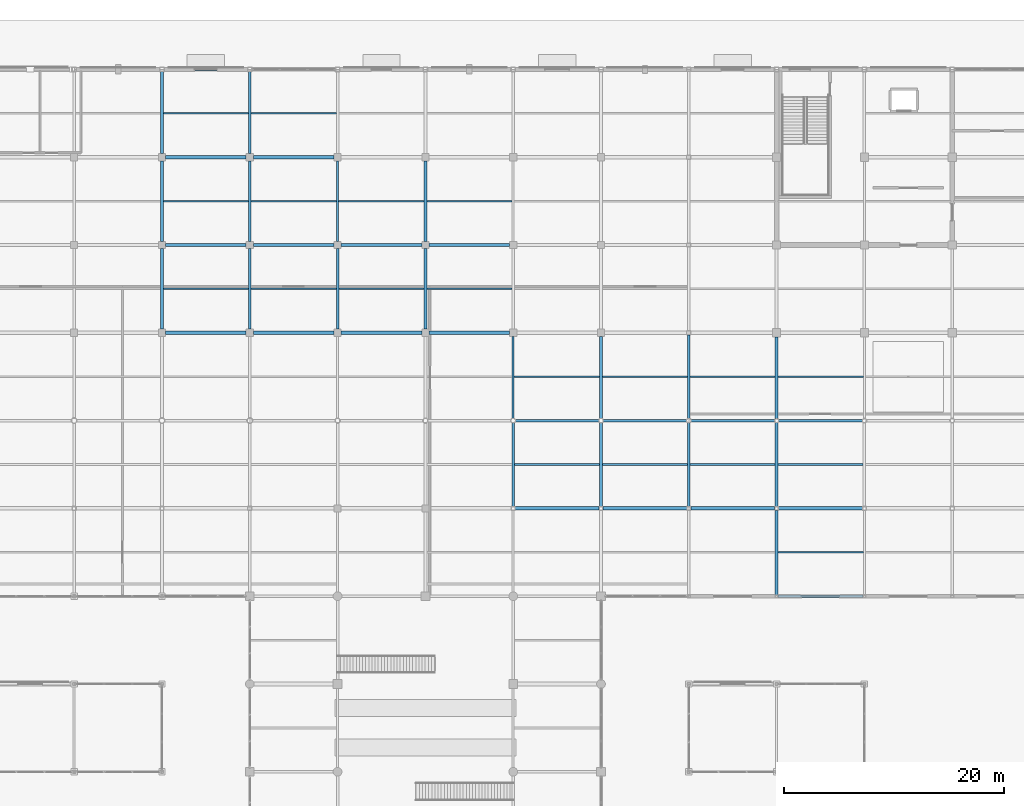
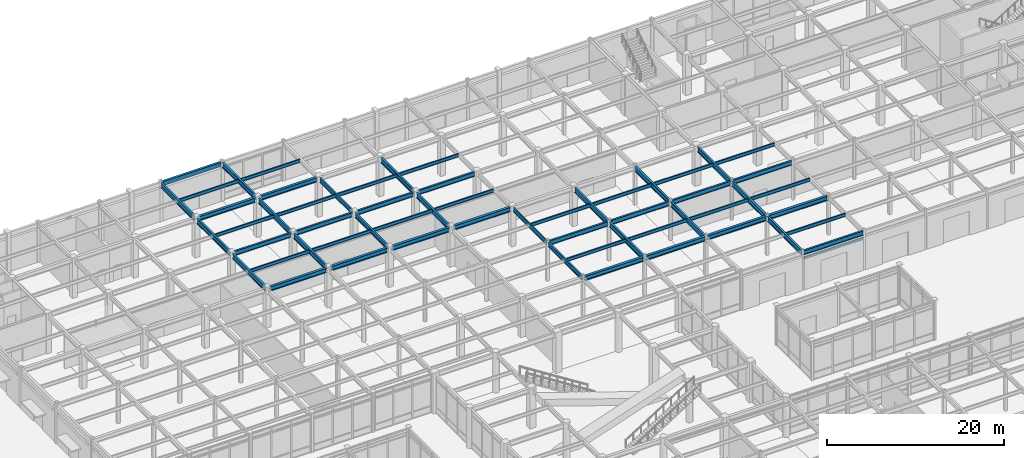
# One storey, part 74 of 128: 59 beams.
"""IFC4 building model written with IfcOpenShell, lengths in metres."""

from ifc_helpers import new_model, si_unit, direction, frame, origin, origin_2d, place, context, subcontext, project, spatial, hollow_rectangle, i_section, extrude, material, material_profile, profile_set, type_object, element, save


model = new_model("IFC4")

# Units and contexts
model_context = context("Model", 3, precision=1e-05, world=origin(), true_north=direction((0.0, 1.0)))
body_context = subcontext(model_context, "Body", "Model", "MODEL_VIEW")
ifc_project = project(units=[si_unit("LENGTHUNIT", "METRE"), si_unit("AREAUNIT", "SQUARE_METRE"), si_unit("VOLUMEUNIT", "CUBIC_METRE"), si_unit("PLANEANGLEUNIT", "RADIAN"), si_unit("MASSUNIT", "GRAM", prefix="KILO")], contexts=[model_context])

# Site, building, storey
site_placement = place(None, origin())
site = spatial("IfcSite", under=ifc_project, at=site_placement, CompositionType="ELEMENT")
building_placement = place(site_placement, origin())
building = spatial("IfcBuilding", under=site, at=building_placement, Name="Solmirada Galleria", CompositionType="ELEMENT")
storey_placement = place(building_placement, origin())
storey = spatial("IfcBuildingStorey", under=building, at=storey_placement, Name="L00", CompositionType="ELEMENT", Elevation=0.0)

# Beams
ifc_material_1 = material(Name="Steel S355 / ASTM A992 Grade 50", Category="steel")
ifc_material_profile_1 = material_profile(ifc_material_1, i_section(OverallWidth=0.323974609375, OverallDepth=0.611083984375, WebThickness=0.0126953125, FlangeThickness=0.01904296875, FilletRadius=0.014892578125, at=origin_2d()), Name="W24X104")
ifc_profile_set_1 = profile_set([ifc_material_profile_1], Name="Steel S355 / ASTM A992 Grade 50")
beam_type_1 = type_object("IfcBeamType", Name="BM-GIRD-W24A", PredefinedType="BEAM", material=ifc_profile_set_1)
for number, where, z_axis, x_axis, name in (
    (1, (72.324951171875, 96.0, 5.074462890625), (1.0, 0.0, 0.0), (0.0, 1.0, 0.0), "Primary beam L01 X(72..80, 96)"),
    (2, (72.324951171875, 112.0, 5.074462890625), (1.0, 0.0, 0.0), (0.0, 1.0, 0.0), "Primary beam L01 X(72..80, 112)"),
    (3, (80.324951171875, 96.0, 5.074462890625), (1.0, 0.0, 0.0), (0.0, 1.0, 0.0), "Primary beam L01 X(80..88, 96)"),
    (4, (80.324951171875, 112.0, 5.074462890625), (1.0, 0.0, 0.0), (0.0, 1.0, 0.0), "Primary beam L01 X(80..88, 112)"),
    (5, (88.324951171875, 96.0, 5.074462890625), (1.0, 0.0, 0.0), (0.0, 1.0, 0.0), "Primary beam L01 X(88..96, 96)"),
    (6, (96.324951171875, 96.0, 5.074462890625), (1.0, 0.0, 0.0), (0.0, 1.0, 0.0), "Primary beam L01 X(96..104, 96)"),
):
    element("IfcBeam", number, at=place(storey_placement, frame(where, z_axis=z_axis, x_axis=x_axis)), inside=storey, type_object=beam_type_1, Name=name, PredefinedType="BEAM", context=body_context, shape_type="SweptSolid", body=[
        extrude(i_section(OverallWidth=0.323974609375, OverallDepth=0.611083984375, WebThickness=0.0126953125, FlangeThickness=0.01904296875, FilletRadius=0.014892578125, at=origin_2d()), origin(), (0.0, 0.0, 1.0), 7.35009765625),
    ])
for number, where, z_axis, x_axis, name in (
    (7, (104.177978515625, 80.0, 5.074462890625), (1.0, 0.0, 0.0), (0.0, 1.0, 0.0), "Primary beam L01 X(104..112, 80)"),
    (8, (112.177978515625, 80.0, 5.074462890625), (1.0, 0.0, 0.0), (0.0, 1.0, 0.0), "Primary beam L01 X(112..120, 80)"),
    (9, (120.177978515625, 80.0, 5.074462890625), (1.0, 0.0, 0.0), (0.0, 1.0, 0.0), "Primary beam L01 X(120..128, 80)"),
    (10, (128.177978515625, 80.0, 5.074462890625), (1.0, 0.0, 0.0), (0.0, 1.0, 0.0), "Primary beam L01 X(128..136, 80)"),
):
    element("IfcBeam", number, at=place(storey_placement, frame(where, z_axis=z_axis, x_axis=x_axis)), inside=storey, type_object=beam_type_1, Name=name, PredefinedType="BEAM", context=body_context, shape_type="SweptSolid", body=[
        extrude(i_section(OverallWidth=0.323974609375, OverallDepth=0.611083984375, WebThickness=0.0126953125, FlangeThickness=0.01904296875, FilletRadius=0.014892578125, at=origin_2d()), origin(), (0.0, 0.0, 1.0), 7.64404296875),
    ])
ifc_material_profile_2 = material_profile(ifc_material_1, i_section(OverallWidth=0.22900390625, OverallDepth=0.612060546875, WebThickness=0.011962890625, FlangeThickness=0.01953125, FilletRadius=0.014892578125, at=origin_2d()), Name="W24X84")
ifc_profile_set_2 = profile_set([ifc_material_profile_2], Name="Steel S355 / ASTM A992 Grade 50")
beam_type_2 = type_object("IfcBeamType", Name="BM-GIRD-W24B", PredefinedType="BEAM", material=ifc_profile_set_2)
for number, where, z_axis, x_axis, name in (
    (11, (72.324951171875, 104.0, 5.073974609375), (1.0, 0.0, 0.0), (0.0, 1.0, 0.0), "Primary beam L01 X(72..80, 104)"),
    (12, (80.324951171875, 104.0, 5.073974609375), (1.0, 0.0, 0.0), (0.0, 1.0, 0.0), "Primary beam L01 X(80..88, 104)"),
    (13, (88.324951171875, 104.0, 5.073974609375), (1.0, 0.0, 0.0), (0.0, 1.0, 0.0), "Primary beam L01 X(88..96, 104)"),
    (14, (96.324951171875, 104.0, 5.073974609375), (1.0, 0.0, 0.0), (0.0, 1.0, 0.0), "Primary beam L01 X(96..104, 104)"),
):
    element("IfcBeam", number, at=place(storey_placement, frame(where, z_axis=z_axis, x_axis=x_axis)), inside=storey, type_object=beam_type_2, Name=name, PredefinedType="BEAM", context=body_context, shape_type="SweptSolid", body=[
        extrude(i_section(OverallWidth=0.22900390625, OverallDepth=0.612060546875, WebThickness=0.011962890625, FlangeThickness=0.01953125, FilletRadius=0.014892578125, at=origin_2d()), origin(), (0.0, 0.0, 1.0), 7.35009765625),
    ])
for number, where, z_axis, x_axis, name in (
    (15, (104.19189453125, 88.0, 5.073974609375), (1.0, 0.0, 0.0), (0.0, 1.0, 0.0), "Primary beam L01 X(104..112, 88)"),
    (16, (112.19189453125, 88.0, 5.073974609375), (1.0, 0.0, 0.0), (0.0, 1.0, 0.0), "Primary beam L01 X(112..120, 88)"),
):
    element("IfcBeam", number, at=place(storey_placement, frame(where, z_axis=z_axis, x_axis=x_axis)), inside=storey, type_object=beam_type_2, Name=name, PredefinedType="BEAM", context=body_context, shape_type="SweptSolid", body=[
        extrude(i_section(OverallWidth=0.22900390625, OverallDepth=0.612060546875, WebThickness=0.011962890625, FlangeThickness=0.01953125, FilletRadius=0.014892578125, at=origin_2d()), origin(), (0.0, 0.0, 1.0), 7.6162109375),
    ])
beam_1_placement = place(storey_placement, frame((120.19189453125, 88.0, 5.073974609375), z_axis=(1.0, 0.0, 0.0), x_axis=(0.0, 1.0, 0.0)))
element("IfcBeam", 17, at=beam_1_placement, inside=storey, type_object=beam_type_2, Name="Primary beam L01 X(120..128, 88)", PredefinedType="BEAM", context=body_context, shape_type="SweptSolid", body=[
    extrude(i_section(OverallWidth=0.22900390625, OverallDepth=0.612060546875, WebThickness=0.011962890625, FlangeThickness=0.01953125, FilletRadius=0.014892578125, at=origin_2d()), origin(), (0.0, 0.0, 1.0), 7.6376953125),
])
beam_2_placement = place(storey_placement, frame((128.126953125, 72.0, 5.073974609375), z_axis=(1.0, 0.0, 0.0), x_axis=(0.0, 1.0, 0.0)))
element("IfcBeam", 18, at=beam_2_placement, inside=storey, type_object=beam_type_2, Name="Primary beam L01 X(128..136, 72)", PredefinedType="BEAM", context=body_context, shape_type="SweptSolid", body=[
    extrude(i_section(OverallWidth=0.22900390625, OverallDepth=0.612060546875, WebThickness=0.011962890625, FlangeThickness=0.01953125, FilletRadius=0.014892578125, at=origin_2d()), origin(), (0.0, 0.0, 1.0), 7.74609375),
])
beam_3_placement = place(storey_placement, frame((128.17041015625, 88.0, 5.073974609375), z_axis=(1.0, 0.0, 0.0), x_axis=(0.0, 1.0, 0.0)))
element("IfcBeam", 19, at=beam_3_placement, inside=storey, type_object=beam_type_2, Name="Primary beam L01 X(128..136, 88)", PredefinedType="BEAM", context=body_context, shape_type="SweptSolid", body=[
    extrude(i_section(OverallWidth=0.22900390625, OverallDepth=0.612060546875, WebThickness=0.011962890625, FlangeThickness=0.01953125, FilletRadius=0.014892578125, at=origin_2d()), origin(), (0.0, 0.0, 1.0), 7.6591796875),
])
ifc_material_profile_3 = material_profile(ifc_material_1, i_section(OverallWidth=0.22802734375, OverallDepth=0.60302734375, WebThickness=0.010498046875, FlangeThickness=0.014892578125, FilletRadius=0.014892578125, at=origin_2d()), Name="W24X68")
ifc_profile_set_3 = profile_set([ifc_material_profile_3], Name="Steel S355 / ASTM A992 Grade 50")
beam_type_3 = type_object("IfcBeamType", Name="BM-GIRD-W24C", PredefinedType="BEAM", material=ifc_profile_set_3)
beam_4_placement = place(storey_placement, frame((88.0, 96.324951171875, 5.07861328125), z_axis=(0.0, 1.0, 0.0), x_axis=(-1.0, 0.0, 0.0)))
element("IfcBeam", 20, at=beam_4_placement, inside=storey, type_object=beam_type_3, Name="Primary girder L01 Y(88, 96..104)", PredefinedType="BEAM", context=body_context, shape_type="SweptSolid", body=[
    extrude(i_section(OverallWidth=0.22802734375, OverallDepth=0.60302734375, WebThickness=0.010498046875, FlangeThickness=0.014892578125, FilletRadius=0.014892578125, at=origin_2d()), origin(), (0.0, 0.0, 1.0), 7.35009765625),
])
beam_5_placement = place(storey_placement, frame((104.0, 80.177978515625, 5.07861328125), z_axis=(0.0, 1.0, 0.0), x_axis=(-1.0, 0.0, 0.0)))
element("IfcBeam", 21, at=beam_5_placement, inside=storey, type_object=beam_type_3, Name="Primary girder L01 Y(104, 80..88)", PredefinedType="BEAM", context=body_context, shape_type="SweptSolid", body=[
    extrude(i_section(OverallWidth=0.22802734375, OverallDepth=0.60302734375, WebThickness=0.010498046875, FlangeThickness=0.014892578125, FilletRadius=0.014892578125, at=origin_2d()), origin(), (0.0, 0.0, 1.0), 7.630126953125),
])
ifc_material_profile_4 = material_profile(ifc_material_1, i_section(OverallWidth=0.177978515625, OverallDepth=0.59912109375, WebThickness=0.010009765625, FlangeThickness=0.0126953125, FilletRadius=0.013916015625, at=origin_2d()), Name="W24X55")
ifc_profile_set_4 = profile_set([ifc_material_profile_4], Name="Steel S355 / ASTM A992 Grade 50")
beam_type_4 = type_object("IfcBeamType", Name="BM-GIRD-W24D", PredefinedType="BEAM", material=ifc_profile_set_4)
beam_6_placement = place(storey_placement, frame((88.0, 104.324951171875, 5.08056640625), z_axis=(0.0, 1.0, 0.0), x_axis=(-1.0, 0.0, 0.0)))
element("IfcBeam", 22, at=beam_6_placement, inside=storey, type_object=beam_type_4, Name="Primary girder L01 Y(88, 104..112)", PredefinedType="BEAM", context=body_context, shape_type="SweptSolid", body=[
    extrude(i_section(OverallWidth=0.177978515625, OverallDepth=0.59912109375, WebThickness=0.010009765625, FlangeThickness=0.0126953125, FilletRadius=0.013916015625, at=origin_2d()), origin(), (0.0, 0.0, 1.0), 7.35009765625),
])
beam_7_placement = place(storey_placement, frame((104.0, 88.19189453125, 5.08056640625), z_axis=(0.0, 1.0, 0.0), x_axis=(-1.0, 0.0, 0.0)))
element("IfcBeam", 23, at=beam_7_placement, inside=storey, type_object=beam_type_4, Name="Primary girder L01 Y(104, 88..96)", PredefinedType="BEAM", context=body_context, shape_type="SweptSolid", body=[
    extrude(i_section(OverallWidth=0.177978515625, OverallDepth=0.59912109375, WebThickness=0.010009765625, FlangeThickness=0.0126953125, FilletRadius=0.013916015625, at=origin_2d()), origin(), (0.0, 0.0, 1.0), 7.483154296875),
])
ifc_material_profile_5 = material_profile(ifc_material_1, i_section(OverallWidth=0.256103515625, OverallDepth=0.693115234375, WebThickness=0.014404296875, FlangeThickness=0.023681640625, FilletRadius=0.01806640625, at=origin_2d()), Name="W27X114")
ifc_profile_set_5 = profile_set([ifc_material_profile_5], Name="Steel S355 / ASTM A992 Grade 50")
beam_type_5 = type_object("IfcBeamType", Name="BM-GIRD-W27A", PredefinedType="BEAM", material=ifc_profile_set_5)
for number, where, z_axis, x_axis, name in (
    (24, (72.0, 96.324951171875, 5.033447265625), (0.0, 1.0, 0.0), (-1.0, 0.0, 0.0), "Primary girder L01 Y(72, 96..104)"),
    (25, (72.0, 104.324951171875, 5.033447265625), (0.0, 1.0, 0.0), (-1.0, 0.0, 0.0), "Primary girder L01 Y(72, 104..112)"),
):
    element("IfcBeam", number, at=place(storey_placement, frame(where, z_axis=z_axis, x_axis=x_axis)), inside=storey, type_object=beam_type_5, Name=name, PredefinedType="BEAM", context=body_context, shape_type="SweptSolid", body=[
        extrude(i_section(OverallWidth=0.256103515625, OverallDepth=0.693115234375, WebThickness=0.014404296875, FlangeThickness=0.023681640625, FilletRadius=0.01806640625, at=origin_2d()), origin(), (0.0, 0.0, 1.0), 7.35009765625),
    ])
beam_8_placement = place(storey_placement, frame((72.0, 112.324951171875, 5.033447265625), z_axis=(0.0, 1.0, 0.0), x_axis=(-1.0, 0.0, 0.0)))
element("IfcBeam", 26, at=beam_8_placement, inside=storey, type_object=beam_type_5, Name="Primary girder L01 Y(72, 112..120)", PredefinedType="BEAM", context=body_context, shape_type="SweptSolid", body=[
    extrude(i_section(OverallWidth=0.256103515625, OverallDepth=0.693115234375, WebThickness=0.014404296875, FlangeThickness=0.023681640625, FilletRadius=0.01806640625, at=origin_2d()), origin(), (0.0, 0.0, 1.0), 7.47216796875),
])
for number, where, z_axis, x_axis, name in (
    (27, (96.0, 96.324951171875, 5.033447265625), (0.0, 1.0, 0.0), (-1.0, 0.0, 0.0), "Primary girder L01 Y(96, 96..104)"),
    (28, (96.0, 104.324951171875, 5.033447265625), (0.0, 1.0, 0.0), (-1.0, 0.0, 0.0), "Primary girder L01 Y(96, 104..112)"),
):
    element("IfcBeam", number, at=place(storey_placement, frame(where, z_axis=z_axis, x_axis=x_axis)), inside=storey, type_object=beam_type_5, Name=name, PredefinedType="BEAM", context=body_context, shape_type="SweptSolid", body=[
        extrude(i_section(OverallWidth=0.256103515625, OverallDepth=0.693115234375, WebThickness=0.014404296875, FlangeThickness=0.023681640625, FilletRadius=0.01806640625, at=origin_2d()), origin(), (0.0, 0.0, 1.0), 7.35009765625),
    ])
for number, where, z_axis, x_axis, name in (
    (29, (120.0, 80.177978515625, 5.033447265625), (0.0, 1.0, 0.0), (-1.0, 0.0, 0.0), "Primary girder L01 Y(120, 80..88)"),
    (30, (120.0, 88.19189453125, 5.033447265625), (0.0, 1.0, 0.0), (-1.0, 0.0, 0.0), "Primary girder L01 Y(120, 88..96)"),
):
    element("IfcBeam", number, at=place(storey_placement, frame(where, z_axis=z_axis, x_axis=x_axis)), inside=storey, type_object=beam_type_5, Name=name, PredefinedType="BEAM", context=body_context, shape_type="SweptSolid", body=[
        extrude(i_section(OverallWidth=0.256103515625, OverallDepth=0.693115234375, WebThickness=0.014404296875, FlangeThickness=0.023681640625, FilletRadius=0.01806640625, at=origin_2d()), origin(), (0.0, 0.0, 1.0), 7.630126953125),
    ])
ifc_material_profile_6 = material_profile(ifc_material_1, i_section(OverallWidth=0.25390625, OverallDepth=0.68408203125, WebThickness=0.012451171875, FlangeThickness=0.018798828125, FilletRadius=0.01708984375, at=origin_2d()), Name="W27X94")
ifc_profile_set_6 = profile_set([ifc_material_profile_6], Name="Steel S355 / ASTM A992 Grade 50")
beam_type_6 = type_object("IfcBeamType", Name="BM-GIRD-W27B", PredefinedType="BEAM", material=ifc_profile_set_6)
for number, where, z_axis, x_axis, name in (
    (31, (80.0, 96.324951171875, 5.0380859375), (0.0, 1.0, 0.0), (-1.0, 0.0, 0.0), "Primary girder L01 Y(80, 96..104)"),
    (32, (80.0, 104.324951171875, 5.0380859375), (0.0, 1.0, 0.0), (-1.0, 0.0, 0.0), "Primary girder L01 Y(80, 104..112)"),
):
    element("IfcBeam", number, at=place(storey_placement, frame(where, z_axis=z_axis, x_axis=x_axis)), inside=storey, type_object=beam_type_6, Name=name, PredefinedType="BEAM", context=body_context, shape_type="SweptSolid", body=[
        extrude(i_section(OverallWidth=0.25390625, OverallDepth=0.68408203125, WebThickness=0.012451171875, FlangeThickness=0.018798828125, FilletRadius=0.01708984375, at=origin_2d()), origin(), (0.0, 0.0, 1.0), 7.35009765625),
    ])
beam_9_placement = place(storey_placement, frame((80.0, 112.324951171875, 5.0380859375), z_axis=(0.0, 1.0, 0.0), x_axis=(-1.0, 0.0, 0.0)))
element("IfcBeam", 33, at=beam_9_placement, inside=storey, type_object=beam_type_6, Name="Primary girder L01 Y(80, 112..120)", PredefinedType="BEAM", context=body_context, shape_type="SweptSolid", body=[
    extrude(i_section(OverallWidth=0.25390625, OverallDepth=0.68408203125, WebThickness=0.012451171875, FlangeThickness=0.018798828125, FilletRadius=0.01708984375, at=origin_2d()), origin(), (0.0, 0.0, 1.0), 7.47216796875),
])
beam_10_placement = place(storey_placement, frame((112.0, 80.177978515625, 5.0380859375), z_axis=(0.0, 1.0, 0.0), x_axis=(-1.0, 0.0, 0.0)))
element("IfcBeam", 34, at=beam_10_placement, inside=storey, type_object=beam_type_6, Name="Primary girder L01 Y(112, 80..88)", PredefinedType="BEAM", context=body_context, shape_type="SweptSolid", body=[
    extrude(i_section(OverallWidth=0.25390625, OverallDepth=0.68408203125, WebThickness=0.012451171875, FlangeThickness=0.018798828125, FilletRadius=0.01708984375, at=origin_2d()), origin(), (0.0, 0.0, 1.0), 7.630126953125),
])
beam_11_placement = place(storey_placement, frame((112.0, 88.19189453125, 5.0380859375), z_axis=(0.0, 1.0, 0.0), x_axis=(-1.0, 0.0, 0.0)))
element("IfcBeam", 35, at=beam_11_placement, inside=storey, type_object=beam_type_6, Name="Primary girder L01 Y(112, 88..96)", PredefinedType="BEAM", context=body_context, shape_type="SweptSolid", body=[
    extrude(i_section(OverallWidth=0.25390625, OverallDepth=0.68408203125, WebThickness=0.012451171875, FlangeThickness=0.018798828125, FilletRadius=0.01708984375, at=origin_2d()), origin(), (0.0, 0.0, 1.0), 7.483154296875),
])
beam_12_placement = place(storey_placement, frame((128.0, 72.126953125, 5.0380859375), z_axis=(0.0, 1.0, 0.0), x_axis=(-1.0, 0.0, 0.0)))
element("IfcBeam", 36, at=beam_12_placement, inside=storey, type_object=beam_type_6, Name="Primary girder L01 Y(128, 72..80)", PredefinedType="BEAM", context=body_context, shape_type="SweptSolid", body=[
    extrude(i_section(OverallWidth=0.25390625, OverallDepth=0.68408203125, WebThickness=0.012451171875, FlangeThickness=0.018798828125, FilletRadius=0.01708984375, at=origin_2d()), origin(), (0.0, 0.0, 1.0), 7.695068359375),
])
beam_13_placement = place(storey_placement, frame((128.0, 80.177978515625, 5.0380859375), z_axis=(0.0, 1.0, 0.0), x_axis=(-1.0, 0.0, 0.0)))
element("IfcBeam", 37, at=beam_13_placement, inside=storey, type_object=beam_type_6, Name="Primary girder L01 Y(128, 80..88)", PredefinedType="BEAM", context=body_context, shape_type="SweptSolid", body=[
    extrude(i_section(OverallWidth=0.25390625, OverallDepth=0.68408203125, WebThickness=0.012451171875, FlangeThickness=0.018798828125, FilletRadius=0.01708984375, at=origin_2d()), origin(), (0.0, 0.0, 1.0), 7.651611328125),
])
beam_14_placement = place(storey_placement, frame((128.0, 88.17041015625, 5.0380859375), z_axis=(0.0, 1.0, 0.0), x_axis=(-1.0, 0.0, 0.0)))
element("IfcBeam", 38, at=beam_14_placement, inside=storey, type_object=beam_type_6, Name="Primary girder L01 Y(128, 88..96)", PredefinedType="BEAM", context=body_context, shape_type="SweptSolid", body=[
    extrude(i_section(OverallWidth=0.25390625, OverallDepth=0.68408203125, WebThickness=0.012451171875, FlangeThickness=0.018798828125, FilletRadius=0.01708984375, at=origin_2d()), origin(), (0.0, 0.0, 1.0), 7.45458984375),
])
ifc_material_profile_7 = material_profile(ifc_material_1, i_section(OverallWidth=0.153076171875, OverallDepth=0.455078125, WebThickness=0.008056640625, FlangeThickness=0.01318359375, FilletRadius=0.011962890625, at=origin_2d()), Name="W18X40")
ifc_profile_set_7 = profile_set([ifc_material_profile_7], Name="Steel S355 / ASTM A992 Grade 50")
beam_type_7 = type_object("IfcBeamType", Name="BM-JST-W18A", PredefinedType="JOIST", material=ifc_profile_set_7)
for number, where, z_axis, x_axis, name in (
    (39, (72.1279296875, 100.0, 5.152587890625), (1.0, 0.0, 0.0), (0.0, 1.0, 0.0), "Composite floor joist L01 (72..80, 100.0)"),
    (40, (72.1279296875, 108.0, 5.152587890625), (1.0, 0.0, 0.0), (0.0, 1.0, 0.0), "Composite floor joist L01 (72..80, 108.0)"),
    (41, (72.1279296875, 116.0, 5.152587890625), (1.0, 0.0, 0.0), (0.0, 1.0, 0.0), "Composite floor joist L01 (72..80, 116.0)"),
):
    element("IfcBeam", number, at=place(storey_placement, frame(where, z_axis=z_axis, x_axis=x_axis)), inside=storey, type_object=beam_type_7, Name=name, PredefinedType="JOIST", context=body_context, shape_type="SweptSolid", body=[
        extrude(i_section(OverallWidth=0.153076171875, OverallDepth=0.455078125, WebThickness=0.008056640625, FlangeThickness=0.01318359375, FilletRadius=0.011962890625, at=origin_2d()), origin(), (0.0, 0.0, 1.0), 7.7451171875),
    ])
beam_15_placement = place(storey_placement, frame((80.126953125, 100.0, 5.152587890625), z_axis=(1.0, 0.0, 0.0), x_axis=(0.0, 1.0, 0.0)))
element("IfcBeam", 42, at=beam_15_placement, inside=storey, type_object=beam_type_7, Name="Composite floor joist L01 (80..88, 100.0)", PredefinedType="JOIST", context=body_context, shape_type="SweptSolid", body=[
    extrude(i_section(OverallWidth=0.153076171875, OverallDepth=0.455078125, WebThickness=0.008056640625, FlangeThickness=0.01318359375, FilletRadius=0.011962890625, at=origin_2d()), origin(), (0.0, 0.0, 1.0), 7.759033203125),
])
beam_16_placement = place(storey_placement, frame((80.126953125, 108.0, 5.152587890625), z_axis=(1.0, 0.0, 0.0), x_axis=(0.0, 1.0, 0.0)))
element("IfcBeam", 43, at=beam_16_placement, inside=storey, type_object=beam_type_7, Name="Composite floor joist L01 (80..88, 108.0)", PredefinedType="JOIST", context=body_context, shape_type="SweptSolid", body=[
    extrude(i_section(OverallWidth=0.153076171875, OverallDepth=0.455078125, WebThickness=0.008056640625, FlangeThickness=0.01318359375, FilletRadius=0.011962890625, at=origin_2d()), origin(), (0.0, 0.0, 1.0), 7.783935546875),
])
beam_17_placement = place(storey_placement, frame((80.126953125, 116.0, 5.152587890625), z_axis=(1.0, 0.0, 0.0), x_axis=(0.0, 1.0, 0.0)))
element("IfcBeam", 44, at=beam_17_placement, inside=storey, type_object=beam_type_7, Name="Composite floor joist L01 (80..88, 116.0)", PredefinedType="JOIST", context=body_context, shape_type="SweptSolid", body=[
    extrude(i_section(OverallWidth=0.153076171875, OverallDepth=0.455078125, WebThickness=0.008056640625, FlangeThickness=0.01318359375, FilletRadius=0.011962890625, at=origin_2d()), origin(), (0.0, 0.0, 1.0), 7.759033203125),
])
beam_18_placement = place(storey_placement, frame((88.114013671875, 100.0, 5.152587890625), z_axis=(1.0, 0.0, 0.0), x_axis=(0.0, 1.0, 0.0)))
element("IfcBeam", 45, at=beam_18_placement, inside=storey, type_object=beam_type_7, Name="Composite floor joist L01 (88..96, 100.0)", PredefinedType="JOIST", context=body_context, shape_type="SweptSolid", body=[
    extrude(i_section(OverallWidth=0.153076171875, OverallDepth=0.455078125, WebThickness=0.008056640625, FlangeThickness=0.01318359375, FilletRadius=0.011962890625, at=origin_2d()), origin(), (0.0, 0.0, 1.0), 7.758056640625),
])
beam_19_placement = place(storey_placement, frame((88.089111328125, 108.0, 5.152587890625), z_axis=(1.0, 0.0, 0.0), x_axis=(0.0, 1.0, 0.0)))
element("IfcBeam", 46, at=beam_19_placement, inside=storey, type_object=beam_type_7, Name="Composite floor joist L01 (88..96, 108.0)", PredefinedType="JOIST", context=body_context, shape_type="SweptSolid", body=[
    extrude(i_section(OverallWidth=0.153076171875, OverallDepth=0.455078125, WebThickness=0.008056640625, FlangeThickness=0.01318359375, FilletRadius=0.011962890625, at=origin_2d()), origin(), (0.0, 0.0, 1.0), 7.782958984375),
])
beam_20_placement = place(storey_placement, frame((96.1279296875, 100.0, 5.152587890625), z_axis=(1.0, 0.0, 0.0), x_axis=(0.0, 1.0, 0.0)))
element("IfcBeam", 47, at=beam_20_placement, inside=storey, type_object=beam_type_7, Name="Composite floor joist L01 (96..104, 100.0)", PredefinedType="JOIST", context=body_context, shape_type="SweptSolid", body=[
    extrude(i_section(OverallWidth=0.153076171875, OverallDepth=0.455078125, WebThickness=0.008056640625, FlangeThickness=0.01318359375, FilletRadius=0.011962890625, at=origin_2d()), origin(), (0.0, 0.0, 1.0), 7.758056640625),
])
beam_21_placement = place(storey_placement, frame((96.1279296875, 108.0, 5.152587890625), z_axis=(1.0, 0.0, 0.0), x_axis=(0.0, 1.0, 0.0)))
element("IfcBeam", 48, at=beam_21_placement, inside=storey, type_object=beam_type_7, Name="Composite floor joist L01 (96..104, 108.0)", PredefinedType="JOIST", context=body_context, shape_type="SweptSolid", body=[
    extrude(i_section(OverallWidth=0.153076171875, OverallDepth=0.455078125, WebThickness=0.008056640625, FlangeThickness=0.01318359375, FilletRadius=0.011962890625, at=origin_2d()), origin(), (0.0, 0.0, 1.0), 7.782958984375),
])
beam_22_placement = place(storey_placement, frame((104.114013671875, 84.0, 5.152587890625), z_axis=(1.0, 0.0, 0.0), x_axis=(0.0, 1.0, 0.0)))
element("IfcBeam", 49, at=beam_22_placement, inside=storey, type_object=beam_type_7, Name="Composite floor joist L01 (104..112, 84.0)", PredefinedType="JOIST", context=body_context, shape_type="SweptSolid", body=[
    extrude(i_section(OverallWidth=0.153076171875, OverallDepth=0.455078125, WebThickness=0.008056640625, FlangeThickness=0.01318359375, FilletRadius=0.011962890625, at=origin_2d()), origin(), (0.0, 0.0, 1.0), 7.759033203125),
])
beam_23_placement = place(storey_placement, frame((104.089111328125, 92.0, 5.152587890625), z_axis=(1.0, 0.0, 0.0), x_axis=(0.0, 1.0, 0.0)))
element("IfcBeam", 50, at=beam_23_placement, inside=storey, type_object=beam_type_7, Name="Composite floor joist L01 (104..112, 92.0)", PredefinedType="JOIST", context=body_context, shape_type="SweptSolid", body=[
    extrude(i_section(OverallWidth=0.153076171875, OverallDepth=0.455078125, WebThickness=0.008056640625, FlangeThickness=0.01318359375, FilletRadius=0.011962890625, at=origin_2d()), origin(), (0.0, 0.0, 1.0), 7.783935546875),
])
for number, where, z_axis, x_axis, name in (
    (51, (112.126953125, 84.0, 5.152587890625), (1.0, 0.0, 0.0), (0.0, 1.0, 0.0), "Composite floor joist L01 (112..120, 84.0)"),
    (52, (112.126953125, 92.0, 5.152587890625), (1.0, 0.0, 0.0), (0.0, 1.0, 0.0), "Composite floor joist L01 (112..120, 92.0)"),
    (53, (120.1279296875, 84.0, 5.152587890625), (1.0, 0.0, 0.0), (0.0, 1.0, 0.0), "Composite floor joist L01 (120..128, 84.0)"),
    (54, (120.1279296875, 92.0, 5.152587890625), (1.0, 0.0, 0.0), (0.0, 1.0, 0.0), "Composite floor joist L01 (120..128, 92.0)"),
):
    element("IfcBeam", number, at=place(storey_placement, frame(where, z_axis=z_axis, x_axis=x_axis)), inside=storey, type_object=beam_type_7, Name=name, PredefinedType="JOIST", context=body_context, shape_type="SweptSolid", body=[
        extrude(i_section(OverallWidth=0.153076171875, OverallDepth=0.455078125, WebThickness=0.008056640625, FlangeThickness=0.01318359375, FilletRadius=0.011962890625, at=origin_2d()), origin(), (0.0, 0.0, 1.0), 7.7451171875),
    ])
beam_24_placement = place(storey_placement, frame((128.126953125, 76.0, 5.152587890625), z_axis=(1.0, 0.0, 0.0), x_axis=(0.0, 1.0, 0.0)))
element("IfcBeam", 55, at=beam_24_placement, inside=storey, type_object=beam_type_7, Name="Composite floor joist L01 (128..136, 76.0)", PredefinedType="JOIST", context=body_context, shape_type="SweptSolid", body=[
    extrude(i_section(OverallWidth=0.153076171875, OverallDepth=0.455078125, WebThickness=0.008056640625, FlangeThickness=0.01318359375, FilletRadius=0.011962890625, at=origin_2d()), origin(), (0.0, 0.0, 1.0), 7.783935546875),
])
beam_25_placement = place(storey_placement, frame((128.126953125, 84.0, 5.152587890625), z_axis=(1.0, 0.0, 0.0), x_axis=(0.0, 1.0, 0.0)))
element("IfcBeam", 56, at=beam_25_placement, inside=storey, type_object=beam_type_7, Name="Composite floor joist L01 (128..136, 84.0)", PredefinedType="JOIST", context=body_context, shape_type="SweptSolid", body=[
    extrude(i_section(OverallWidth=0.153076171875, OverallDepth=0.455078125, WebThickness=0.008056640625, FlangeThickness=0.01318359375, FilletRadius=0.011962890625, at=origin_2d()), origin(), (0.0, 0.0, 1.0), 7.759033203125),
])
beam_26_placement = place(storey_placement, frame((128.126953125, 92.0, 5.152587890625), z_axis=(1.0, 0.0, 0.0), x_axis=(0.0, 1.0, 0.0)))
element("IfcBeam", 57, at=beam_26_placement, inside=storey, type_object=beam_type_7, Name="Composite floor joist L01 (128..136, 92.0)", PredefinedType="JOIST", context=body_context, shape_type="SweptSolid", body=[
    extrude(i_section(OverallWidth=0.153076171875, OverallDepth=0.455078125, WebThickness=0.008056640625, FlangeThickness=0.01318359375, FilletRadius=0.011962890625, at=origin_2d()), origin(), (0.0, 0.0, 1.0), 7.783935546875),
])
ifc_material_profile_8 = material_profile(ifc_material_1, i_section(OverallWidth=0.202880859375, OverallDepth=0.302978515625, WebThickness=0.007568359375, FlangeThickness=0.01318359375, FilletRadius=0.011962890625, at=origin_2d()), Name="W12X40")
ifc_profile_set_8 = profile_set([ifc_material_profile_8], Name="Steel S355 / ASTM A992 Grade 50")
beam_type_8 = type_object("IfcBeamType", Name="BM-LINT-W12", PredefinedType="LINTEL", material=ifc_profile_set_8)
beam_27_placement = place(storey_placement, frame((128.126953125, 72.0, 4.298583984375), z_axis=(1.0, 0.0, 0.0), x_axis=(0.0, 1.0, 0.0)))
element("IfcBeam", 58, at=beam_27_placement, inside=storey, type_object=beam_type_8, Name="Portal lintel beam L01 X=128..136", PredefinedType="LINTEL", context=body_context, shape_type="SweptSolid", body=[
    extrude(i_section(OverallWidth=0.202880859375, OverallDepth=0.302978515625, WebThickness=0.007568359375, FlangeThickness=0.01318359375, FilletRadius=0.011962890625, at=origin_2d()), origin(), (0.0, 0.0, 1.0), 7.74609375),
])
ifc_material_2 = material(Name="Steel S355 / ASTM A500 Grade C", Category="steel")
ifc_material_profile_9 = material_profile(ifc_material_2, hollow_rectangle(XDim=0.304931640625, YDim=0.55908203125, WallThickness=0.01171875, InnerFilletRadius=0.01171875, OuterFilletRadius=0.023681640625, at=origin_2d()), Name="HSS22X12X1/2")
ifc_profile_set_9 = profile_set([ifc_material_profile_9], Name="Steel S355 / ASTM A500 Grade C")
beam_type_9 = type_object("IfcBeamType", Name="BM-SPAND-W21", PredefinedType="SPANDREL", material=ifc_profile_set_9)
beam_28_placement = place(storey_placement, frame((72.202880859375, 120.0, 5.1005859375), z_axis=(1.0, 0.0, 0.0), x_axis=(0.0, 1.0, 0.0)))
element("IfcBeam", 59, at=beam_28_placement, inside=storey, type_object=beam_type_9, Name="Primary beam L01 X(72..80, 120)", PredefinedType="SPANDREL", context=body_context, shape_type="SweptSolid", body=[
    extrude(hollow_rectangle(XDim=0.304931640625, YDim=0.55908203125, WallThickness=0.01171875, InnerFilletRadius=0.01171875, OuterFilletRadius=0.023681640625, at=origin_2d()), origin(), (0.0, 0.0, 1.0), 7.59423828125),
])

save(model, "model.ifc")
